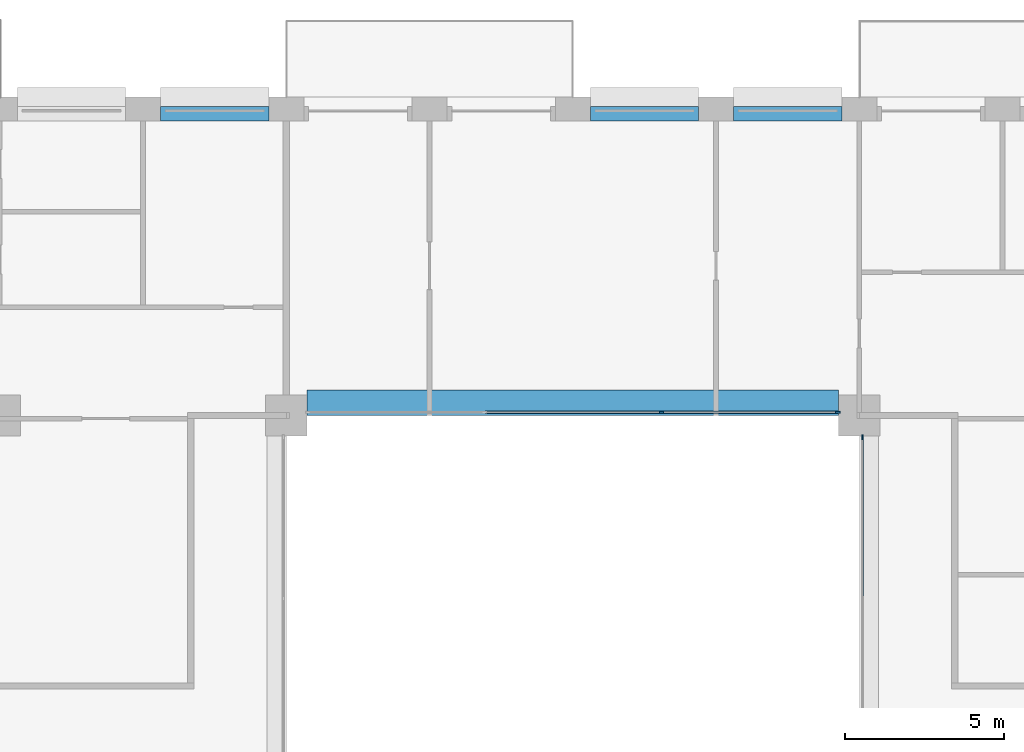
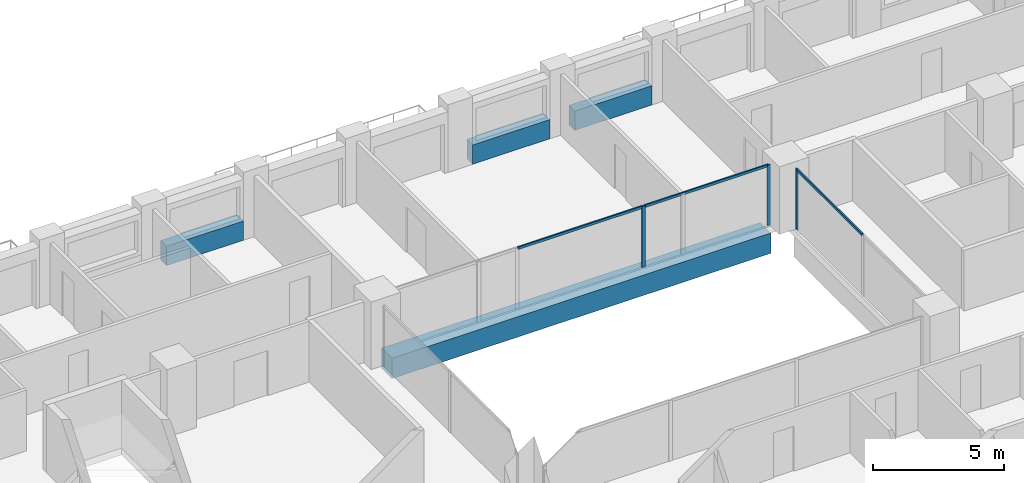
# One storey, part 6 of 16: 6 members, 4 beams, 2 elements without a shape of their own.
"""IFC4 building model written with IfcOpenShell, lengths in metres."""

import ifcopenshell
import ifcopenshell.guid

model = None  # the IFC model being written
_history = None  # IfcOwnerHistory: only IFC2X3 demands one
_inside = {}  # id of a spatial element -> (the spatial element, [elements in it])
_under = {}  # id of a project, library or spatial element -> (it, [spatial elements below it])
_declared = {}  # id of a project -> (the project, [libraries it declares])
_typed = {}  # id of a type object -> (the type object, [elements of that type])
_made_of = {}  # id of a material, layer set ... -> (it, [elements and type objects made of it])


def new_model(schema):
    """Start an empty IFC model of exactly this schema.

    Asked for "IFC4X3", IfcOpenShell would pick the latest addendum, in which some entities
    have other attributes; the version numbers below select the first issue.
    IFC2X3 requires an IfcOwnerHistory on every rooted entity: one is made here for all.
    """
    global model, _history
    if schema == "IFC4X3":
        model = ifcopenshell.file(schema_version=(4, 3, 0, 0))
    else:
        model = ifcopenshell.file(schema=schema)
    _inside.clear()
    _under.clear()
    _declared.clear()
    _typed.clear()
    _made_of.clear()
    _history = None
    if model.schema == "IFC2X3":
        org = make("IfcOrganization", Name="unknown")
        user = make(
            "IfcPersonAndOrganization",
            ThePerson=make("IfcPerson", FamilyName="unknown"),
            TheOrganization=org,
        )
        app = make(
            "IfcApplication",
            ApplicationDeveloper=org,
            Version="unknown",
            ApplicationFullName="unknown",
            ApplicationIdentifier="unknown",
        )
        _history = make(
            "IfcOwnerHistory",
            OwningUser=user,
            OwningApplication=app,
            ChangeAction="ADDED",
            CreationDate=0,
        )
    return model


def make(cls, **values):
    """One entity of the class cls with the attributes given. An attribute that is None is left unset."""
    return model.create_entity(
        cls, **{name: value for name, value in values.items() if value is not None}
    )


def rooted(cls, **values):
    """An entity with a GlobalId (a new one), such as an element, a storey or a relation."""
    return make(cls, GlobalId=ifcopenshell.guid.new(), OwnerHistory=_history, **values)


def si_unit(unit_type, name, prefix=None):
    """IfcSIUnit, for example si_unit("LENGTHUNIT", "METRE", prefix="MILLI")."""
    return make("IfcSIUnit", UnitType=unit_type, Prefix=prefix, Name=name)


def assignment(units):
    """IfcUnitAssignment: the units of a project."""
    return None if units is None else make("IfcUnitAssignment", Units=units)


def point(xyz):
    """IfcCartesianPoint."""
    return None if xyz is None else make("IfcCartesianPoint", Coordinates=xyz)


def direction(xyz):
    """IfcDirection."""
    return None if xyz is None else make("IfcDirection", DirectionRatios=xyz)


def frame(location, z_axis=None, x_axis=None):
    """IfcAxis2Placement3D, a coordinate frame: its origin and axes. An axis left out is left unset."""
    return make(
        "IfcAxis2Placement3D",
        Location=point(location),
        Axis=direction(z_axis),
        RefDirection=direction(x_axis),
    )


def frame_2d(location, x_axis=None):
    """IfcAxis2Placement2D, a coordinate frame in the plane: its origin and x axis."""
    return make(
        "IfcAxis2Placement2D", Location=point(location), RefDirection=direction(x_axis)
    )


def origin():
    """The frame at (0, 0, 0) with its axes left unset."""
    return frame((0.0, 0.0, 0.0))


def origin_2d():
    """The frame at (0, 0) in the plane with its x axis left unset."""
    return frame_2d((0.0, 0.0))


def place(relative_to, where):
    """IfcLocalPlacement: puts the frame where relative to a parent placement (None: the world)."""
    return make(
        "IfcLocalPlacement", PlacementRelTo=relative_to, RelativePlacement=where
    )


def context(
    kind, dimensions, precision=None, world=None, true_north=None, identifier=None
):
    """IfcGeometricRepresentationContext, for example the 3D "Model" context."""
    return make(
        "IfcGeometricRepresentationContext",
        ContextIdentifier=identifier,
        ContextType=kind,
        CoordinateSpaceDimension=dimensions,
        Precision=precision,
        WorldCoordinateSystem=world,
        TrueNorth=true_north,
    )


def subcontext(parent, identifier, kind, view, scale=None):
    """IfcGeometricRepresentationSubContext, for example "Body" below "Model"."""
    return make(
        "IfcGeometricRepresentationSubContext",
        ContextIdentifier=identifier,
        ContextType=kind,
        ParentContext=parent,
        TargetScale=scale,
        TargetView=view,
    )


def project(units=None, contexts=None):
    """IfcProject with its units and contexts."""
    return rooted(
        "IfcProject",
        Name="project",
        RepresentationContexts=contexts,
        UnitsInContext=assignment(units),
    )


def spatial(cls, under=None, at=None, **own):
    """A site, building, storey or space (cls), placed at a placement, below another one or the project."""
    s = rooted(cls, ObjectPlacement=at, **own)
    if under is not None:
        _under.setdefault(under.id(), (under, []))[1].append(s)
    return s


def profile(cls, at=None, kind="AREA", **sizes):
    """A parametric profile (cls). Its sizes go by their IFC names, for example OverallWidth=200.0."""
    return make(cls, ProfileType=kind, Position=at, **sizes)


def rectangle(**sizes):
    """IfcRectangleProfileDef."""
    return profile("IfcRectangleProfileDef", **sizes)


def extrude(swept, where, along, depth):
    """IfcExtrudedAreaSolid: the profile swept, set in the frame where, extruded along a direction by depth."""
    return make(
        "IfcExtrudedAreaSolid",
        SweptArea=swept,
        Position=where,
        ExtrudedDirection=direction(along),
        Depth=depth,
    )


def shape(context_of_items, identifier, shape_type, items):
    """IfcShapeRepresentation: the items that make up one representation, for example the "Body"."""
    return make(
        "IfcShapeRepresentation",
        ContextOfItems=context_of_items,
        RepresentationIdentifier=identifier,
        RepresentationType=shape_type,
        Items=items,
    )


def material(Name=None, Category=None):
    """IfcMaterial."""
    return make("IfcMaterial", Name=Name, Category=Category)


def layer(
    of_material, thickness, ventilated=None, Name=None, Category=None, Priority=None
):
    """IfcMaterialLayer: one layer of a wall or slab, of a material (None: an air gap)."""
    return make(
        "IfcMaterialLayer",
        Material=of_material,
        LayerThickness=thickness,
        IsVentilated=ventilated,
        Name=Name,
        Category=Category,
        Priority=Priority,
    )


def layer_set(layers, Name=None):
    """IfcMaterialLayerSet."""
    return make("IfcMaterialLayerSet", MaterialLayers=layers, LayerSetName=Name)


def material_profile(
    of_material, cross_section, Name=None, Category=None, Priority=None
):
    """IfcMaterialProfile: a cross section and its material."""
    return make(
        "IfcMaterialProfile",
        Name=Name,
        Material=of_material,
        Profile=cross_section,
        Priority=Priority,
        Category=Category,
    )


def profile_set(profiles, Name=None, composite=None):
    """IfcMaterialProfileSet."""
    return make(
        "IfcMaterialProfileSet",
        Name=Name,
        MaterialProfiles=profiles,
        CompositeProfile=composite,
    )


def made_of(thing, what):
    """Note that an element or type object is made of a material, layer set ...; save() writes the relation."""
    if what is not None:
        _made_of.setdefault(what.id(), (what, []))[1].append(thing)
    return thing


def type_object(cls, material=None, **own):
    """A type object (cls), such as IfcWallType, which elements share."""
    return made_of(rooted(cls, **own), material)


def element(
    cls,
    number,
    at=None,
    inside=None,
    cuts=None,
    type_object=None,
    material=None,
    context=None,
    identifier="Body",
    shape_type=None,
    held_by="IfcProductDefinitionShape",
    body=None,
    shapes=None,
    **own,
):
    """One element of the class cls, such as IfcWall. Its Tag is "e" and its number.

    at: its placement. inside: the storey or other place that contains it. cuts: it is an
    opening in that element (IfcRelVoidsElement). A single representation is given by context,
    identifier, shape_type and body (its items); several are given by shapes. held_by: the class
    of the entity that holds the representations. save() writes the other relations.
    """
    e = rooted(cls, Tag="e%d" % number, ObjectPlacement=at, **own)
    if body is not None:
        shapes = [shape(context, identifier, shape_type, body)]
    if shapes is not None:
        e.Representation = make(held_by, Representations=shapes)
    if inside is not None:
        _inside.setdefault(inside.id(), (inside, []))[1].append(e)
    if cuts is not None:
        rooted(
            "IfcRelVoidsElement", RelatingBuildingElement=cuts, RelatedOpeningElement=e
        )
    if type_object is not None:
        _typed.setdefault(type_object.id(), (type_object, []))[1].append(e)
    return made_of(e, material)


def aggregate(whole, parts):
    """IfcRelAggregates: a whole, such as a stair, and the parts it consists of."""
    return rooted("IfcRelAggregates", RelatingObject=whole, RelatedObjects=parts)


def save(model, path):
    """Write the relations noted so far, then the file.

    IfcRelAggregates (storeys below a building ...), IfcRelContainedInSpatialStructure (elements
    in a storey), IfcRelDefinesByType, IfcRelAssociatesMaterial and IfcRelDeclares: one each for
    every whole, place, type object, material and project.
    """
    for whole, parts in _under.values():
        aggregate(whole, parts)
    for where, things in _inside.values():
        rooted(
            "IfcRelContainedInSpatialStructure",
            RelatedElements=things,
            RelatingStructure=where,
        )
    for kind, things in _typed.values():
        rooted("IfcRelDefinesByType", RelatedObjects=things, RelatingType=kind)
    for what, things in _made_of.values():
        rooted("IfcRelAssociatesMaterial", RelatedObjects=things, RelatingMaterial=what)
    for by, libraries in _declared.values():
        rooted("IfcRelDeclares", RelatingContext=by, RelatedDefinitions=libraries)
    model.write(path)


model = new_model("IFC4")

# Units and contexts
model_context = context("Model", 3, precision=1e-05, world=origin(), true_north=direction((0.0, 1.0)))
body_context = subcontext(model_context, "Body", "Model", "MODEL_VIEW")
ifc_project = project(units=[si_unit("LENGTHUNIT", "METRE"), si_unit("AREAUNIT", "SQUARE_METRE"), si_unit("VOLUMEUNIT", "CUBIC_METRE"), si_unit("PLANEANGLEUNIT", "RADIAN"), si_unit("MASSUNIT", "GRAM", prefix="KILO")], contexts=[model_context])

# Site, building, storey
site_placement = place(None, origin())
site = spatial("IfcSite", under=ifc_project, at=site_placement, CompositionType="ELEMENT")
building_placement = place(site_placement, origin())
building = spatial("IfcBuilding", under=site, at=building_placement, Name="Brigalow Station Residences", CompositionType="ELEMENT")
storey_placement = place(building_placement, frame((0.0, 0.0, 93.0)))
storey = spatial("IfcBuildingStorey", under=building, at=storey_placement, Name="L26", CompositionType="ELEMENT", Elevation=93.0)

# Beam
ifc_material_1 = material(Name="Concrete C65", Category="concrete")
ifc_material_profile_1 = material_profile(ifc_material_1, rectangle(XDim=0.800048828125, YDim=0.949951171875, at=origin_2d()), Name="RC800x950")
ifc_profile_set_1 = profile_set([ifc_material_profile_1], Name="Concrete C65")
beam_type_1 = type_object("IfcBeamType", Name="ATRIUM EDGE GIRDER OVER 13.5 M SPAN 800x950 C65", PredefinedType="BEAM", material=ifc_profile_set_1)
beam_placement = place(storey_placement, frame((27.64990234375, 35.89990234375, -0.794921875), z_axis=(1.0, 0.0, 0.0), x_axis=(0.0, 1.0, 0.0)))
element("IfcBeam", 1, at=beam_placement, inside=storey, type_object=beam_type_1, Name="ATRIUM EDGE GIRDER D L26", PredefinedType="BEAM", context=body_context, shape_type="SweptSolid", body=[
    extrude(rectangle(XDim=0.800048828125, YDim=0.949951171875, at=origin_2d()), origin(), (0.0, 0.0, 1.0), 16.7001953125),
])

# Curtain wall, member
ifc_material_2 = material(Name="Aluminium", Category="aluminium")
ifc_layer = layer(ifc_material_2, 0.14990234375)
ifc_layer_set = layer_set([ifc_layer], Name="ATRIUM FIRE-RATED GLAZING CURTAIN WALL")
curtain_wall_type = type_object("IfcCurtainWallType", Name="ATRIUM FIRE-RATED GLAZING CURTAIN WALL", PredefinedType="NOTDEFINED", material=ifc_layer_set)
curtain_wall_1_placement = place(storey_placement, origin())
curtain_wall_1 = element("IfcCurtainWall", 2, at=curtain_wall_1_placement, inside=storey, type_object=curtain_wall_type, Name="L26/cw/atrium-E", PredefinedType="NOTDEFINED")
ifc_material_3 = material(Name="Aluminium", Category="aluminium")
ifc_material_profile_2 = material_profile(ifc_material_3, rectangle(XDim=0.06005859375, YDim=0.14990234375, at=origin_2d()), Name="ATRIUM FIRE-RATED GLAZING MULLION 60x150")
ifc_profile_set_2 = profile_set([ifc_material_profile_2], Name="Aluminium")
member_type_1 = type_object("IfcMemberType", Name="ATRIUM FIRE-RATED GLAZING MULLION 60x150", PredefinedType="MULLION", material=ifc_profile_set_2)
member_1_placement = place(storey_placement, frame((45.10009765625, 34.820068359375, 0.0), z_axis=(0.0, 0.0, 1.0), x_axis=(-1.0, 0.0, 0.0)))
member_1 = element("IfcMember", 3, at=member_1_placement, type_object=member_type_1, Name="L26/cw/atrium-E/M02", PredefinedType="MULLION", context=body_context, shape_type="SweptSolid", body=[
    extrude(rectangle(XDim=0.06005859375, YDim=0.14990234375, at=origin_2d()), origin(), (0.0, 0.0, 1.0), 2.830078125),
])

# Curtain wall, members
curtain_wall_2_placement = place(storey_placement, origin())
curtain_wall_2 = element("IfcCurtainWall", 4, at=curtain_wall_2_placement, inside=storey, type_object=curtain_wall_type, Name="L26/cw/atrium-N", PredefinedType="NOTDEFINED")
member_2_placement = place(storey_placement, frame((44.320068359375, 35.60009765625, 0.0), z_axis=(0.0, 0.0, 1.0), x_axis=(0.0, -1.0, 0.0)))
member_2 = element("IfcMember", 5, at=member_2_placement, type_object=member_type_1, Name="L26/cw/atrium-N/M00", PredefinedType="MULLION", context=body_context, shape_type="SweptSolid", body=[
    extrude(rectangle(XDim=0.06005859375, YDim=0.14990234375, at=origin_2d()), origin(), (0.0, 0.0, 1.0), 2.830078125),
])
member_3_placement = place(storey_placement, frame((38.783203125, 35.60009765625, 0.0), z_axis=(0.0, 0.0, 1.0), x_axis=(0.0, -1.0, 0.0)))
member_3 = element("IfcMember", 6, at=member_3_placement, type_object=member_type_1, Name="L26/cw/atrium-N/M01", PredefinedType="MULLION", context=body_context, shape_type="SweptSolid", body=[
    extrude(rectangle(XDim=0.06005859375, YDim=0.14990234375, at=origin_2d()), origin(), (0.0, 0.0, 1.0), 2.830078125),
])

# Member
ifc_material_4 = material(Name="Aluminium", Category="aluminium")
ifc_material_profile_3 = material_profile(ifc_material_4, rectangle(XDim=0.06005859375, YDim=0.1201171875, at=origin_2d()), Name="ATRIUM FIRE-RATED GLAZING TRANSOM 60x120")
ifc_profile_set_3 = profile_set([ifc_material_profile_3], Name="Aluminium")
member_type_2 = type_object("IfcMemberType", Name="ATRIUM FIRE-RATED GLAZING TRANSOM 60x120", PredefinedType="USERDEFINED", material=ifc_profile_set_3)
member_4_placement = place(storey_placement, frame((45.10009765625, 29.780029296875, 2.800048828125), z_axis=(0.0, 1.0, 0.0), x_axis=(-1.0, 0.0, 0.0)))
member_4 = element("IfcMember", 7, at=member_4_placement, type_object=member_type_2, Name="L26/cw/atrium-E/T01-00", ObjectType="TRANSOM", PredefinedType="USERDEFINED", context=body_context, shape_type="SweptSolid", body=[
    extrude(rectangle(XDim=0.06005859375, YDim=0.1201171875, at=origin_2d()), origin(), (0.0, 0.0, 1.0), 5.010009765625),
])

aggregate(curtain_wall_1, [member_1, member_4])

member_5_placement = place(storey_placement, frame((44.2900390625, 35.60009765625, 2.800048828125), z_axis=(-1.0, 0.0, 0.0), x_axis=(0.0, -1.0, 0.0)))
member_5 = element("IfcMember", 8, at=member_5_placement, type_object=member_type_2, Name="L26/cw/atrium-N/T00-00", ObjectType="TRANSOM", PredefinedType="USERDEFINED", context=body_context, shape_type="SweptSolid", body=[
    extrude(rectangle(XDim=0.06005859375, YDim=0.1201171875, at=origin_2d()), origin(), (0.0, 0.0, 1.0), 5.476806640625),
])

member_6_placement = place(storey_placement, frame((38.75341796875, 35.60009765625, 2.800048828125), z_axis=(-1.0, 0.0, 0.0), x_axis=(0.0, -1.0, 0.0)))
member_6 = element("IfcMember", 9, at=member_6_placement, type_object=member_type_2, Name="L26/cw/atrium-N/T01-00", ObjectType="TRANSOM", PredefinedType="USERDEFINED", context=body_context, shape_type="SweptSolid", body=[
    extrude(rectangle(XDim=0.06005859375, YDim=0.1201171875, at=origin_2d()), origin(), (0.0, 0.0, 1.0), 5.5068359375),
])

aggregate(curtain_wall_2, [member_2, member_3, member_5, member_6])

# Beams
ifc_material_5 = material(Name="Concrete C65", Category="concrete")
ifc_material_profile_4 = material_profile(ifc_material_5, rectangle(XDim=0.449951171875, YDim=0.89990234375, at=origin_2d()), Name="RC450x900")
ifc_profile_set_4 = profile_set([ifc_material_profile_4], Name="Concrete C65")
beam_type_2 = type_object("IfcBeamType", Name="SPANDREL BEAM 450x900 C65", PredefinedType="SPANDREL", material=ifc_profile_set_4)
for number, where, z_axis, x_axis, name in (
    (10, (44.449951171875, 44.97509765625, 0.449951171875), (-1.0, 0.0, 0.0), (0.0, -1.0, 0.0), "L26/spandrel/W-L26-29"),
    (11, (39.949951171875, 44.97509765625, 0.449951171875), (-1.0, 0.0, 0.0), (0.0, -1.0, 0.0), "L26/spandrel/W-L26-30"),
    (12, (26.449951171875, 44.97509765625, 0.449951171875), (-1.0, 0.0, 0.0), (0.0, -1.0, 0.0), "L26/spandrel/W-L26-33"),
):
    element("IfcBeam", number, at=place(storey_placement, frame(where, z_axis=z_axis, x_axis=x_axis)), inside=storey, type_object=beam_type_2, Name=name, PredefinedType="SPANDREL", context=body_context, shape_type="SweptSolid", body=[
        extrude(rectangle(XDim=0.449951171875, YDim=0.89990234375, at=origin_2d()), origin(), (0.0, 0.0, 1.0), 3.39990234375),
    ])

save(model, "model.ifc")
